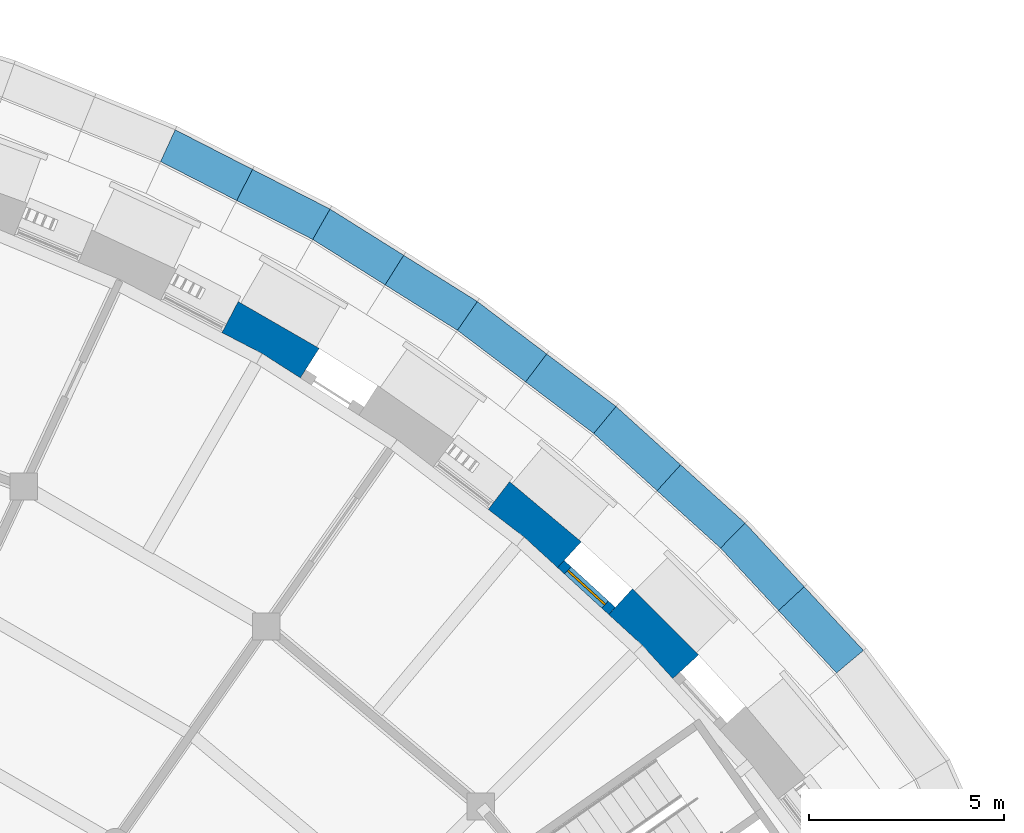
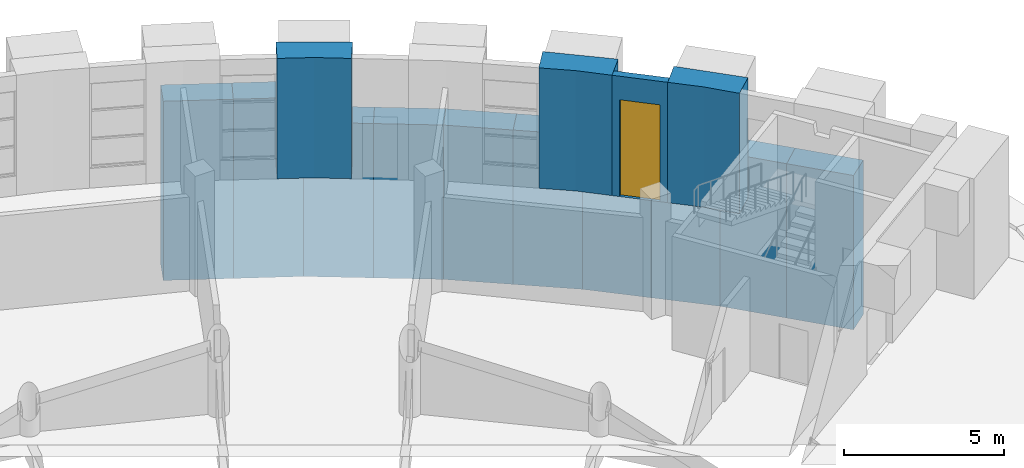
# One storey, part 61 of 85: 14 walls, 1 door, 1 opening.
"""IFC4 building model written with IfcOpenShell, lengths in metres."""

from ifc_helpers import new_model, si_unit, direction, frame, frame_2d, origin, place, context, subcontext, project, spatial, polyline, rectangle, outline, extrude, material, layer, layer_set, type_object, element, fill, save


model = new_model("IFC4")

# Units and contexts
model_context = context("Model", 3, precision=1e-05, world=origin(), true_north=direction((0.0, 1.0)))
body_context = subcontext(model_context, "Body", "Model", "MODEL_VIEW")
ifc_project = project(units=[si_unit("LENGTHUNIT", "METRE"), si_unit("AREAUNIT", "SQUARE_METRE"), si_unit("VOLUMEUNIT", "CUBIC_METRE"), si_unit("PLANEANGLEUNIT", "RADIAN"), si_unit("MASSUNIT", "GRAM", prefix="KILO")], contexts=[model_context])

# Site, building, storey
site_placement = place(None, origin())
site = spatial("IfcSite", under=ifc_project, at=site_placement, CompositionType="ELEMENT")
building_placement = place(site_placement, origin())
building = spatial("IfcBuilding", under=site, at=building_placement, Name="Volute Hill Aquarium", CompositionType="ELEMENT")
storey_placement = place(building_placement, origin())
storey = spatial("IfcBuildingStorey", under=building, at=storey_placement, Name="L01", CompositionType="ELEMENT", Elevation=0.0)

# Wall, opening, door
ifc_material_1 = material(Name="Concrete C30/37", Category="concrete")
ifc_layer_1 = layer(ifc_material_1, 0.25)
ifc_layer_set_1 = layer_set([ifc_layer_1], Name="Niche back wall full height 250")
wall_type_1 = type_object("IfcWallType", Name="Niche back wall full height 250", PredefinedType="NOTDEFINED", material=ifc_layer_set_1)
wall_1_placement = place(storey_placement, frame((31.249755859375, 35.424560546875, 0.0), z_axis=(0.0, 0.0, 1.0), x_axis=(0.737267644497, -0.675600784767, 0.0)))
wall_1 = element("IfcWall", 1, at=wall_1_placement, inside=storey, type_object=wall_type_1, Name="Niche back wall OWN S5 L01 3", PredefinedType="NOTDEFINED", context=body_context, shape_type="SweptSolid", body=[
    extrude(rectangle(XDim=1.785400390625, YDim=0.25, at=frame_2d((0.892578125, 0.0))), origin(), (0.0, 0.0, 1.0), 4.60009765625),
])
opening_placement = place(wall_1_placement, frame((0.242919921875, 0.0, 0.0)))
opening = element("IfcOpeningElement", 2, at=opening_placement, cuts=wall_1, Name="Opening ED08", PredefinedType="OPENING", context=body_context, shape_type="SweptSolid", body=[
    extrude(rectangle(XDim=1.300048828125, YDim=3.699951171875, at=frame_2d((0.64990234375, 1.85009765625))), frame((0.0, 0.135009765625, 0.0), z_axis=(0.0, -1.0, 0.0), x_axis=(1.0, 0.0, 0.0)), (0.0, 0.0, 1.0), 0.27001953125),
])
ifc_material_2 = material(Name="Steel", Category="steel")
door_type = type_object("IfcDoorType", Name="Roller shutter dock door 1300x3700", OperationType="ROLLINGUP", PredefinedType="DOOR", material=ifc_material_2)
door_placement = place(opening_placement, origin())
door = element("IfcDoor", 3, at=door_placement, inside=storey, type_object=door_type, Name="External door ED08 S5 L01", OperationType="ROLLINGUP", OverallHeight=3.699951171875, OverallWidth=1.300048828125, PredefinedType="DOOR", context=body_context, shape_type="SweptSolid", body=[
    extrude(rectangle(XDim=1.300048828125, YDim=3.699951171875, at=frame_2d((0.64990234375, 1.85009765625))), frame((0.0, 0.02490234375, 0.0), z_axis=(0.0, -1.0, 0.0), x_axis=(1.0, 0.0, 0.0)), (0.0, 0.0, 1.0), 0.050048828125),
])
fill(opening, door)

# Walls
ifc_material_3 = material(Name="Precast concrete C40/50", Category="concrete")
ifc_layer_2 = layer(ifc_material_3, 0.89990234375)
ifc_layer_set_2 = layer_set([ifc_layer_2], Name="Outer pier precast concrete C40/50 900")
wall_type_2 = type_object("IfcWallType", Name="Outer pier precast concrete C40/50 900", PredefinedType="NOTDEFINED", material=ifc_layer_set_2)
wall_2_placement = place(storey_placement, origin())
element("IfcWall", 4, at=wall_2_placement, inside=storey, type_object=wall_type_2, Name="Outer pier OWP S5 L01 3", PredefinedType="NOTDEFINED", context=body_context, shape_type="SweptSolid", body=[
    extrude(outline(polyline([(34.1259765625, 32.481689453125), (34.78955078125, 33.08984375), (33.08984375, 34.78955078125), (32.481689453125, 34.1259765625), (33.33984375, 33.33984375), (34.1259765625, 32.481689453125)])), origin(), (0.0, 0.0, 1.0), 4.60009765625),
])
wall_3_placement = place(storey_placement, origin())
element("IfcWall", 5, at=wall_3_placement, inside=storey, type_object=wall_type_2, Name="Outer pier OWP S5 L01 4", PredefinedType="NOTDEFINED", context=body_context, shape_type="SweptSolid", body=[
    extrude(outline(polyline([(31.165283203125, 35.33251953125), (31.773193359375, 35.99609375), (29.931640625, 37.541259765625), (29.3837890625, 36.8271484375), (30.30712890625, 36.11865234375), (31.165283203125, 35.33251953125)])), origin(), (0.0, 0.0, 1.0), 4.60009765625),
])
wall_4_placement = place(storey_placement, origin())
element("IfcWall", 6, at=wall_4_placement, inside=storey, type_object=wall_type_2, Name="Outer pier OWP S5 L01 6", PredefinedType="NOTDEFINED", context=body_context, shape_type="SweptSolid", body=[
    extrude(outline(polyline([(24.556396484375, 40.20751953125), (25.039794921875, 40.966552734375), (22.9580078125, 42.16845703125), (22.54248046875, 41.3701171875), (23.57470703125, 40.832763671875), (24.556396484375, 40.20751953125)])), origin(), (0.0, 0.0, 1.0), 4.60009765625),
])
ifc_material_4 = material(Name="Concrete C30/37", Category="concrete")
ifc_layer_3 = layer(ifc_material_4, 0.89990234375)
ifc_layer_set_3 = layer_set([ifc_layer_3], Name="Site edge retaining wall C30/37 900")
wall_type_3 = type_object("IfcWallType", Name="Site edge retaining wall C30/37 900", PredefinedType="SOLIDWALL", material=ifc_layer_set_3)
wall_5_placement = place(storey_placement, frame((0.0, 0.0, -6.0)))
element("IfcWall", 7, at=wall_5_placement, inside=storey, type_object=wall_type_3, Name="rw/E59UP/L01/0", PredefinedType="SOLIDWALL", context=body_context, shape_type="SweptSolid", body=[
    extrude(outline(polyline([(39.025634765625, 33.20263671875), (37.50390625, 34.8408203125), (36.844482421875, 34.228515625), (38.333740234375, 32.625244140625), (39.025634765625, 33.20263671875), (39.025634765625, 33.20263671875)])), origin(), (0.0, 0.0, 1.0), 5.89990234375),
])
wall_6_placement = place(storey_placement, frame((0.0, 0.0, -6.0)))
element("IfcWall", 8, at=wall_6_placement, inside=storey, type_object=wall_type_3, Name="rw/E59UP/L01/1", PredefinedType="SOLIDWALL", context=body_context, shape_type="SweptSolid", body=[
    extrude(outline(polyline([(37.50390625, 34.8408203125), (35.985107421875, 36.47607421875), (35.3525390625, 35.834716796875), (36.844482421875, 34.228515625), (37.50390625, 34.8408203125)])), origin(), (0.0, 0.0, 1.0), 5.89990234375),
])
wall_7_placement = place(storey_placement, frame((0.0, 0.0, -6.0)))
element("IfcWall", 9, at=wall_7_placement, inside=storey, type_object=wall_type_3, Name="rw/E60UP/L01/0", PredefinedType="SOLIDWALL", context=body_context, shape_type="SweptSolid", body=[
    extrude(outline(polyline([(35.985107421875, 36.47607421875), (34.327392578125, 37.974609375), (33.723876953125, 37.30712890625), (35.3525390625, 35.834716796875), (35.3525390625, 35.834716796875), (35.985107421875, 36.47607421875), (35.985107421875, 36.47607421875)])), origin(), (0.0, 0.0, 1.0), 5.89990234375),
])
wall_8_placement = place(storey_placement, frame((0.0, 0.0, -6.0)))
element("IfcWall", 10, at=wall_8_placement, inside=storey, type_object=wall_type_3, Name="rw/E60UP/L01/1", PredefinedType="SOLIDWALL", context=body_context, shape_type="SweptSolid", body=[
    extrude(outline(polyline([(32.66943359375, 39.473388671875), (32.66943359375, 39.473388671875), (32.094970703125, 38.779296875), (32.094970703125, 38.779296875), (33.723876953125, 37.30712890625), (34.327392578125, 37.974609375), (32.66943359375, 39.473388671875)])), origin(), (0.0, 0.0, 1.0), 5.89990234375),
])
wall_9_placement = place(storey_placement, frame((0.0, 0.0, -6.0)))
element("IfcWall", 11, at=wall_9_placement, inside=storey, type_object=wall_type_3, Name="rw/E61UP/L01/0", PredefinedType="SOLIDWALL", context=body_context, shape_type="SweptSolid", body=[
    extrude(outline(polyline([(32.66943359375, 39.473388671875), (30.886962890625, 40.822021484375), (30.343994140625, 40.104248046875), (32.094970703125, 38.779296875), (32.66943359375, 39.473388671875)])), origin(), (0.0, 0.0, 1.0), 5.89990234375),
])
wall_10_placement = place(storey_placement, frame((0.0, 0.0, -6.0)))
element("IfcWall", 12, at=wall_10_placement, inside=storey, type_object=wall_type_3, Name="rw/E61UP/L01/1", PredefinedType="SOLIDWALL", context=body_context, shape_type="SweptSolid", body=[
    extrude(outline(polyline([(29.1044921875, 42.170654296875), (29.1044921875, 42.170654296875), (28.5927734375, 41.42919921875), (28.5927734375, 41.42919921875), (30.343994140625, 40.104248046875), (30.886962890625, 40.822021484375), (29.1044921875, 42.170654296875)])), origin(), (0.0, 0.0, 1.0), 5.89990234375),
])
wall_11_placement = place(storey_placement, frame((0.0, 0.0, -6.0)))
element("IfcWall", 13, at=wall_11_placement, inside=storey, type_object=wall_type_3, Name="rw/E62UP/L01/0", PredefinedType="SOLIDWALL", context=body_context, shape_type="SweptSolid", body=[
    extrude(outline(polyline([(29.1044921875, 42.170654296875), (27.21142578125, 43.358642578125), (26.733154296875, 42.596435546875), (28.5927734375, 41.42919921875), (29.1044921875, 42.170654296875)])), origin(), (0.0, 0.0, 1.0), 5.89990234375),
])
wall_12_placement = place(storey_placement, frame((0.0, 0.0, -6.0)))
element("IfcWall", 14, at=wall_12_placement, inside=storey, type_object=wall_type_3, Name="rw/E62UP/L01/1", PredefinedType="SOLIDWALL", context=body_context, shape_type="SweptSolid", body=[
    extrude(outline(polyline([(27.21142578125, 43.358642578125), (25.318603515625, 44.546630859375), (24.873291015625, 43.763427734375), (26.733154296875, 42.596435546875), (27.21142578125, 43.358642578125)])), origin(), (0.0, 0.0, 1.0), 5.89990234375),
])
wall_13_placement = place(storey_placement, frame((0.0, 0.0, -6.0)))
element("IfcWall", 15, at=wall_13_placement, inside=storey, type_object=wall_type_3, Name="rw/E63UP/L01/0", PredefinedType="SOLIDWALL", context=body_context, shape_type="SweptSolid", body=[
    extrude(outline(polyline([(25.318603515625, 44.546630859375), (23.3291015625, 45.565185546875), (22.9189453125, 44.76416015625), (24.873291015625, 43.763427734375), (24.873291015625, 43.763427734375), (25.318603515625, 44.546630859375), (25.318603515625, 44.546630859375)])), origin(), (0.0, 0.0, 1.0), 6.85009765625),
])
wall_14_placement = place(storey_placement, frame((0.0, 0.0, -6.0)))
element("IfcWall", 16, at=wall_14_placement, inside=storey, type_object=wall_type_3, Name="rw/E63UP/L01/1", PredefinedType="SOLIDWALL", context=body_context, shape_type="SweptSolid", body=[
    extrude(outline(polyline([(23.3291015625, 45.565185546875), (21.339599609375, 46.583984375), (20.96435546875, 45.764892578125), (22.9189453125, 44.76416015625), (23.3291015625, 45.565185546875)])), origin(), (0.0, 0.0, 1.0), 6.85009765625),
])

save(model, "model.ifc")
